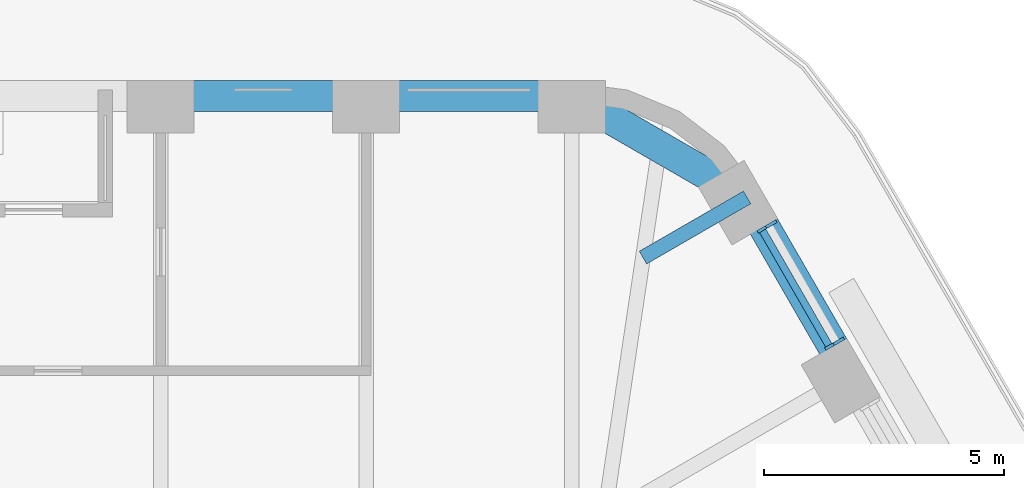
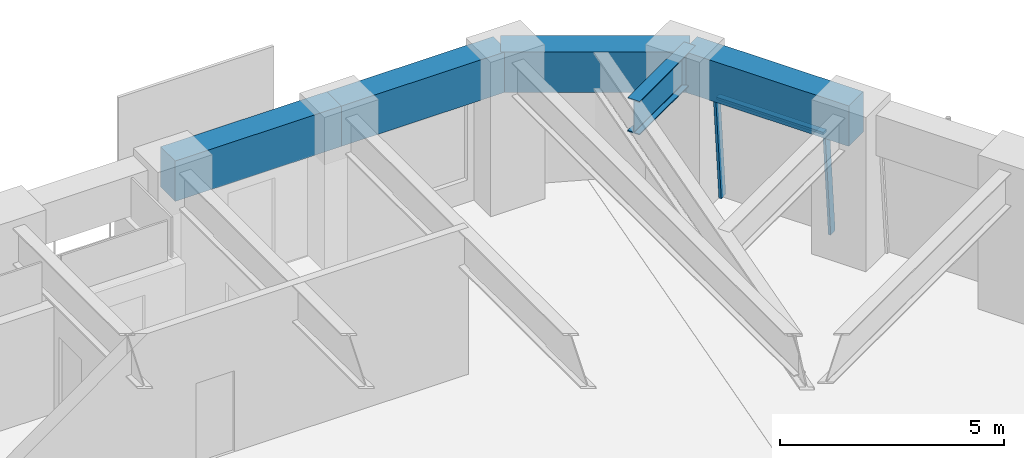
# One storey, part 11 of 19: 5 beams, 3 members, 1 element without a shape of its own.
"""IFC4 building model written with IfcOpenShell, lengths in metres."""

from ifc_helpers import new_model, si_unit, direction, frame, origin, origin_2d, place, context, subcontext, project, spatial, rectangle, i_section, extrude, material, material_profile, profile_set, type_object, element, aggregate, save


model = new_model("IFC4")

# Units and contexts
model_context = context("Model", 3, precision=1e-05, world=origin(), true_north=direction((0.0, 1.0)))
body_context = subcontext(model_context, "Body", "Model", "MODEL_VIEW")
ifc_project = project(units=[si_unit("LENGTHUNIT", "METRE"), si_unit("AREAUNIT", "SQUARE_METRE"), si_unit("VOLUMEUNIT", "CUBIC_METRE"), si_unit("PLANEANGLEUNIT", "RADIAN"), si_unit("MASSUNIT", "GRAM", prefix="KILO")], contexts=[model_context])

# Site, building, storey
site_placement = place(None, origin())
site = spatial("IfcSite", under=ifc_project, at=site_placement, CompositionType="ELEMENT")
building_placement = place(site_placement, origin())
building = spatial("IfcBuilding", under=site, at=building_placement, Name="Tarfa Lantern Tower", CompositionType="ELEMENT")
storey_placement = place(building_placement, frame((0.0, 0.0, 328.300048828125)))
storey = spatial("IfcBuildingStorey", under=building, at=storey_placement, Name="L74", CompositionType="ELEMENT", Elevation=328.300048828125)

# Curtain wall, members
ifc_material_1 = material(Name="Aluminium framed curtain wall", Category="aluminium")
curtain_wall_type = type_object("IfcCurtainWallType", Name="CW4 CANTED GLAZING EXECUTIVE ZONE 2900", PredefinedType="USERDEFINED", material=ifc_material_1)
curtain_wall_placement = place(storey_placement, origin())
curtain_wall = element("IfcCurtainWall", 1, at=curtain_wall_placement, inside=storey, type_object=curtain_wall_type, Name="CW4 NE L74", ObjectType="CURTAIN WALL", PredefinedType="USERDEFINED")
ifc_material_2 = material(Name="Aluminium mullion", Category="aluminium")
ifc_material_profile_1 = material_profile(ifc_material_2, rectangle(XDim=0.06494140625, YDim=0.199951171875, at=origin_2d()), Name="AL MULLION 65x200")
ifc_profile_set_1 = profile_set([ifc_material_profile_1], Name="Aluminium mullion")
member_type_1 = type_object("IfcMemberType", Name="CWM1 MULLION 65x200", PredefinedType="MULLION", material=ifc_profile_set_1)
member_1_placement = place(storey_placement, frame((18.431396484375, 21.3759765625, 0.0), z_axis=(-0.074399820079, -0.042945555672, 0.996303340364), x_axis=(0.499919672301, -0.866071776036, 0.0)))
member_1 = element("IfcMember", 2, at=member_1_placement, type_object=member_type_1, Name="CW4 mullion 1", PredefinedType="MULLION", context=body_context, shape_type="SweptSolid", body=[
    extrude(rectangle(XDim=0.06494140625, YDim=0.199951171875, at=origin_2d()), origin(), (0.0, 0.0, 1.0), 2.91064453125),
])
member_2_placement = place(storey_placement, frame((17.022705078125, 23.815673828125, 0.0), z_axis=(-0.074316405553, -0.042945823525, 0.996309554359), x_axis=(0.500342721131, -0.865827443207, 0.0)))
member_2 = element("IfcMember", 3, at=member_2_placement, type_object=member_type_1, Name="CW4 mullion 2", PredefinedType="MULLION", context=body_context, shape_type="SweptSolid", body=[
    extrude(rectangle(XDim=0.06494140625, YDim=0.199951171875, at=origin_2d()), origin(), (0.0, 0.0, 1.0), 2.91064453125),
])
ifc_material_3 = material(Name="Aluminium transom", Category="aluminium")
ifc_material_profile_2 = material_profile(ifc_material_3, rectangle(XDim=0.14990234375, YDim=0.06494140625, at=origin_2d()), Name="AL TRANSOM 150x65")
ifc_profile_set_2 = profile_set([ifc_material_profile_2], Name="Aluminium transom")
member_type_2 = type_object("IfcMemberType", Name="CWT1 TRANSOM 150x65", PredefinedType="USERDEFINED", material=ifc_profile_set_2)
member_3_placement = place(storey_placement, frame((18.200927734375, 21.280517578125, 2.867431640625), z_axis=(-0.499993790352, 0.866028988896, 0.0), x_axis=(-0.866028988896, -0.499993790352, 0.0)))
member_3 = element("IfcMember", 4, at=member_3_placement, type_object=member_type_2, Name="CW4 transom 1.2", ObjectType="TRANSOM", PredefinedType="USERDEFINED", context=body_context, shape_type="SweptSolid", body=[
    extrude(rectangle(XDim=0.14990234375, YDim=0.06494140625, at=origin_2d()), origin(), (0.0, 0.0, 1.0), 2.751953125),
])
aggregate(curtain_wall, [member_1, member_2, member_3])

# Beams
ifc_material_4 = material(Name="Concrete C80/95", Category="concrete")
ifc_material_profile_3 = material_profile(ifc_material_4, rectangle(XDim=0.64990234375, YDim=1.10009765625, at=origin_2d()), Name="RC 650x1100")
ifc_profile_set_3 = profile_set([ifc_material_profile_3], Name="Concrete C80/95")
beam_type_1 = type_object("IfcBeamType", Name="EB4 RC 650x1100", PredefinedType="SPANDREL", material=ifc_profile_set_3)
beam_1_placement = place(storey_placement, frame((18.6416015625, 20.651611328125, 3.449951171875), z_axis=(-0.499959351497, 0.866048870937, 0.0), x_axis=(-0.866048870937, -0.499959351497, 0.0)))
element("IfcBeam", 5, at=beam_1_placement, inside=storey, type_object=beam_type_1, Name="Edge beam NE5", PredefinedType="SPANDREL", context=body_context, shape_type="SweptSolid", body=[
    extrude(rectangle(XDim=0.64990234375, YDim=1.10009765625, at=origin_2d()), origin(), (0.0, 0.0, 1.0), 4.281982421875),
])
beam_2_placement = place(storey_placement, frame((16.500732421875, 24.360107421875, 3.449951171875), z_axis=(-0.866048788483, 0.499959494327, 0.0), x_axis=(-0.499959494327, -0.866048788483, 0.0)))
element("IfcBeam", 6, at=beam_2_placement, inside=storey, type_object=beam_type_1, Name="Edge beam NE6", PredefinedType="SPANDREL", context=body_context, shape_type="SweptSolid", body=[
    extrude(rectangle(XDim=0.64990234375, YDim=1.10009765625, at=origin_2d()), origin(), (0.0, 0.0, 1.0), 4.219970703125),
])
for number, where, z_axis, x_axis, name in (
    (7, (12.845947265625, 26.469970703125, 3.449951171875), (-1.0, 0.0, 0.0), (0.0, -1.0, 0.0), "Edge beam N0"),
    (8, (8.56396484375, 26.469970703125, 3.449951171875), (-1.0, 0.0, 0.0), (0.0, -1.0, 0.0), "Edge beam N1"),
):
    element("IfcBeam", number, at=place(storey_placement, frame(where, z_axis=z_axis, x_axis=x_axis)), inside=storey, type_object=beam_type_1, Name=name, PredefinedType="SPANDREL", context=body_context, shape_type="SweptSolid", body=[
        extrude(rectangle(XDim=0.64990234375, YDim=1.10009765625, at=origin_2d()), origin(), (0.0, 0.0, 1.0), 4.281982421875),
    ])
ifc_material_5 = material(Name="Steel S460M", Category="steel")
ifc_material_profile_4 = material_profile(ifc_material_5, i_section(OverallWidth=0.305419921875, OverallDepth=0.91845703125, WebThickness=0.017333984375, FlangeThickness=0.02783203125, FilletRadius=0.01904296875, at=origin_2d()), Name="UB914x305x253")
ifc_profile_set_4 = profile_set([ifc_material_profile_4], Name="Steel S460M")
beam_type_2 = type_object("IfcBeamType", Name="UB914x305x253", PredefinedType="BEAM", material=ifc_profile_set_4)
beam_3_placement = place(storey_placement, frame((16.500732421875, 24.360107421875, 3.540771484375), z_axis=(-0.865992557167, -0.500056887695, 0.0), x_axis=(0.500056887695, -0.865992557167, 0.0)))
element("IfcBeam", 9, at=beam_3_placement, inside=storey, type_object=beam_type_2, Name="Floor beam NE6", PredefinedType="BEAM", context=body_context, shape_type="SweptSolid", body=[
    extrude(i_section(OverallWidth=0.305419921875, OverallDepth=0.91845703125, WebThickness=0.017333984375, FlangeThickness=0.02783203125, FilletRadius=0.01904296875, at=origin_2d()), origin(), (0.0, 0.0, 1.0), 2.506591796875),
])

save(model, "model.ifc")
